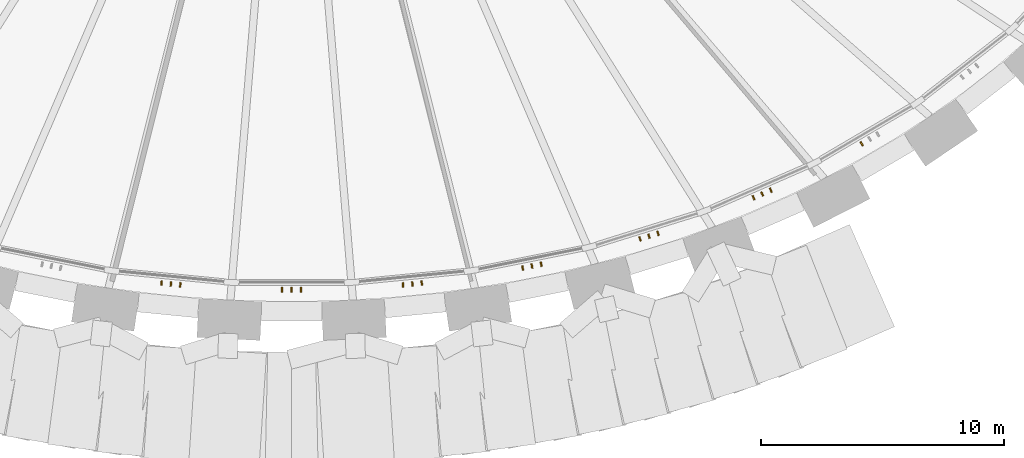
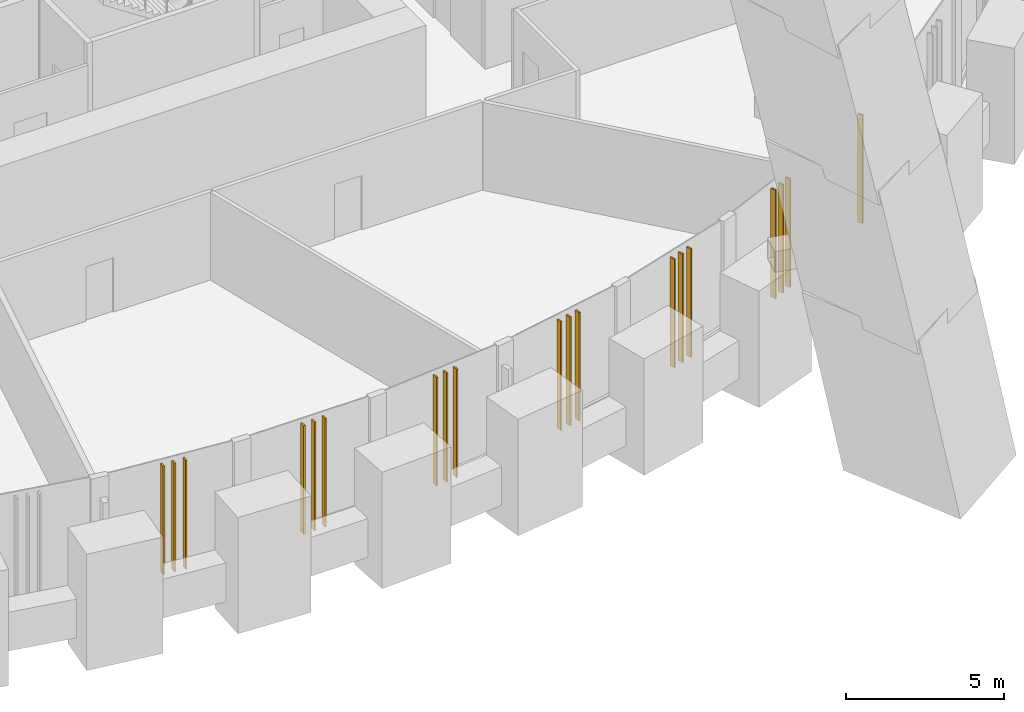
# One storey, part 15 of 23: 19 shading devices.
"""IFC4 building model written with IfcOpenShell, lengths in metres."""

from ifc_helpers import new_model, si_unit, direction, frame, origin, origin_2d, place, context, subcontext, project, spatial, rectangle, extrude, source, transform, mapped, material, material_profile, profile_set, type_object, element, save


model = new_model("IFC4")

# Units and contexts
model_context = context("Model", 3, precision=1e-05, world=origin(), true_north=direction((0.0, 1.0)))
body_context = subcontext(model_context, "Body", "Model", "MODEL_VIEW")
ifc_project = project(units=[si_unit("LENGTHUNIT", "METRE"), si_unit("AREAUNIT", "SQUARE_METRE"), si_unit("VOLUMEUNIT", "CUBIC_METRE"), si_unit("PLANEANGLEUNIT", "RADIAN"), si_unit("MASSUNIT", "GRAM", prefix="KILO")], contexts=[model_context])

# Site, building, storey
site_placement = place(None, origin())
site = spatial("IfcSite", under=ifc_project, at=site_placement, CompositionType="ELEMENT")
building_placement = place(site_placement, origin())
building = spatial("IfcBuilding", under=site, at=building_placement, Name="Embergate Tower", CompositionType="ELEMENT")
storey_placement = place(building_placement, frame((0.0, 0.0, 29.0)))
storey = spatial("IfcBuildingStorey", under=building, at=storey_placement, Name="L03", CompositionType="ELEMENT", Elevation=29.0)

# Shading devices
ifc_material = material(Name="Terracotta, extruded and glazed", Category="masonry")
ifc_material_profile = material_profile(ifc_material, rectangle(XDim=0.18994140625, YDim=0.06005859375, at=origin_2d()), Name="TC 190x60")
ifc_profile_set = profile_set([ifc_material_profile], Name="Terracotta, extruded and glazed")
shading_device_type = type_object("IfcShadingDeviceType", Name="Terracotta fin", PredefinedType="USERDEFINED", material=ifc_profile_set)
shared_shape = source(origin(), body_context, "Body", "SweptSolid", [
    extrude(rectangle(XDim=0.18994140625, YDim=0.06005859375, at=origin_2d()), origin(), (0.0, 0.0, 1.0), 4.199951171875),
])
for number, where, z_axis, x_axis, name in (
    (1, (-5.35888671875, -29.845703125, 0.0), (0.0, 0.0, 1.0), (0.097831287645, 0.995203014042, 0.0), "Fin 32.1"),
    (2, (-4.97216796875, -29.8837890625, 0.0), (0.0, 0.0, 1.0), (0.097831287645, 0.995203014042, 0.0), "Fin 32.2"),
    (3, (-4.58544921875, -29.921630859375, 0.0), (0.0, 0.0, 1.0), (0.097831287645, 0.995203014042, 0.0), "Fin 32.3"),
    (4, (-0.388671875, -30.12744140625, 0.0), (0.0, 0.0, 1.0), (0.0, 1.0, 0.0), "Fin 33.1"),
    (5, (0.0, -30.12744140625, 0.0), (0.0, 0.0, 1.0), (0.0, 1.0, 0.0), "Fin 33.2"),
    (6, (0.388671875, -30.12744140625, 0.0), (0.0, 0.0, 1.0), (0.0, 1.0, 0.0), "Fin 33.3"),
    (7, (4.58544921875, -29.921630859375, 0.0), (0.0, 0.0, 1.0), (-0.097831287645, 0.995203014042, 0.0), "Fin 34.1"),
    (8, (4.97216796875, -29.8837890625, 0.0), (0.0, 0.0, 1.0), (-0.097831287645, 0.995203014042, 0.0), "Fin 34.2"),
    (9, (5.35888671875, -29.845703125, 0.0), (0.0, 0.0, 1.0), (-0.097831287645, 0.995203014042, 0.0), "Fin 34.3"),
    (10, (9.514892578125, -29.226318359375, 0.0), (0.0, 0.0, 1.0), (-0.196644384646, 0.980474877795, 0.0), "Fin 35.1"),
    (11, (9.8955078125, -29.14990234375, 0.0), (0.0, 0.0, 1.0), (-0.196644384646, 0.980474877795, 0.0), "Fin 35.2"),
    (12, (10.27587890625, -29.073486328125, 0.0), (0.0, 0.0, 1.0), (-0.196644384646, 0.980474877795, 0.0), "Fin 35.3"),
    (13, (14.34716796875, -28.034423828125, 0.0), (0.0, 0.0, 1.0), (-0.297346545624, 0.954769622373, 0.0), "Fin 36.1"),
    (14, (14.71728515625, -27.919189453125, 0.0), (0.0, 0.0, 1.0), (-0.297346545624, 0.954769622373, 0.0), "Fin 36.2"),
    (15, (15.08740234375, -27.803955078125, 0.0), (0.0, 0.0, 1.0), (-0.297346545624, 0.954769622373, 0.0), "Fin 36.3"),
    (16, (19.023681640625, -26.33544921875, 0.0), (0.0, 0.0, 1.0), (-0.400648090553, 0.916232016214, 0.0), "Fin 37.1"),
    (17, (19.378173828125, -26.180419921875, 0.0), (0.0, 0.0, 1.0), (-0.400648090553, 0.916232016214, 0.0), "Fin 37.2"),
    (18, (19.732421875, -26.025634765625, 0.0), (0.0, 0.0, 1.0), (-0.400648090553, 0.916232016214, 0.0), "Fin 37.3"),
    (19, (23.474365234375, -24.1162109375, 0.0), (0.0, 0.0, 1.0), (-0.506828384679, 0.862046975799, 0.0), "Fin 38.1"),
):
    element("IfcShadingDevice", number, at=place(storey_placement, frame(where, z_axis=z_axis, x_axis=x_axis)), inside=storey, type_object=shading_device_type, Name=name, ObjectType="FIN", PredefinedType="USERDEFINED", context=body_context, shape_type="MappedRepresentation", body=[
        mapped(shared_shape, transform((0.0, 0.0, 0.0))),
    ])

save(model, "model.ifc")
